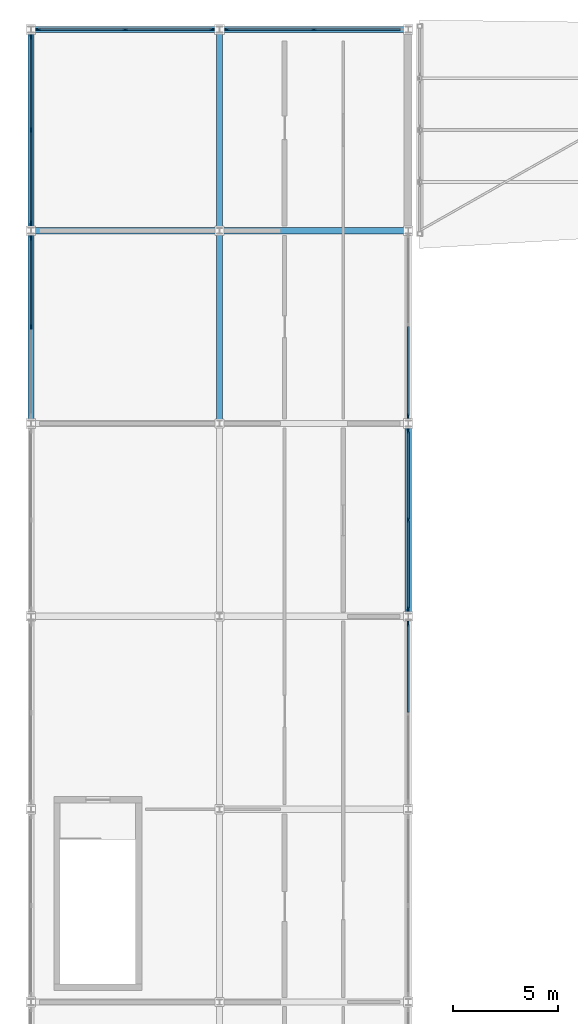
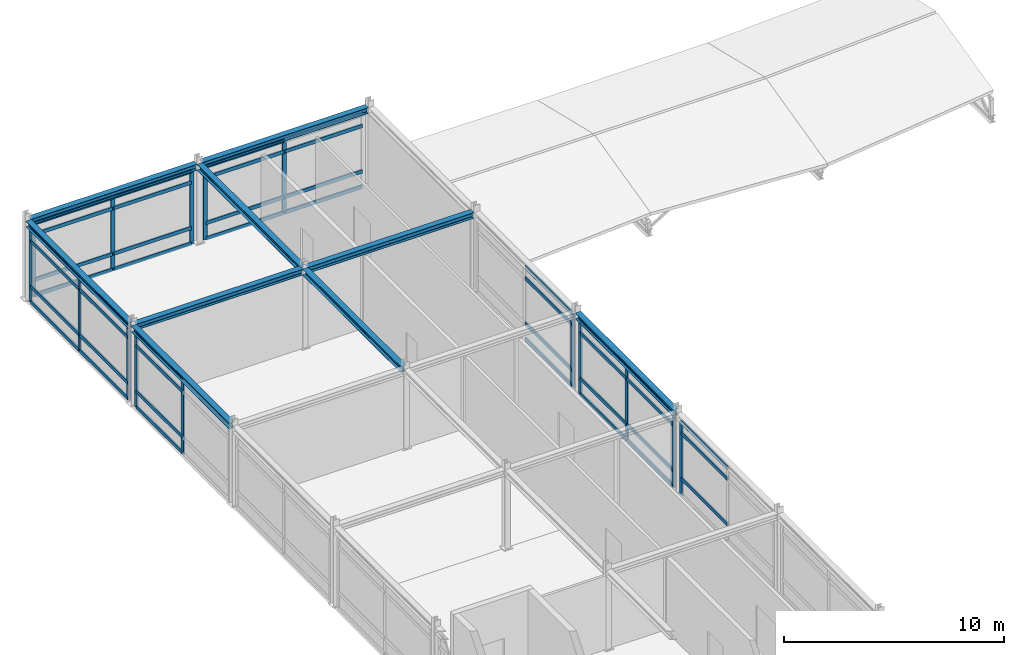
# One storey, part 30 of 90: 57 members, 9 beams, 7 elements without a shape of their own.
"""IFC4 building model written with IfcOpenShell, lengths in metres."""

from ifc_helpers import new_model, si_unit, direction, frame, origin, origin_2d, place, context, subcontext, project, spatial, rectangle, i_section, extrude, material, material_profile, profile_set, type_object, element, aggregate, save


model = new_model("IFC4")

# Units and contexts
model_context = context("Model", 3, precision=1e-05, world=origin(), true_north=direction((0.0, 1.0)))
body_context = subcontext(model_context, "Body", "Model", "MODEL_VIEW")
ifc_project = project(units=[si_unit("LENGTHUNIT", "METRE"), si_unit("AREAUNIT", "SQUARE_METRE"), si_unit("VOLUMEUNIT", "CUBIC_METRE"), si_unit("PLANEANGLEUNIT", "RADIAN"), si_unit("MASSUNIT", "GRAM", prefix="KILO")], contexts=[model_context])

# Site, building, storey
site_placement = place(None, origin())
site = spatial("IfcSite", under=ifc_project, at=site_placement, CompositionType="ELEMENT")
building_placement = place(site_placement, origin())
building = spatial("IfcBuilding", under=site, at=building_placement, Name="Bozkorgan Art Gallery", CompositionType="ELEMENT")
storey_placement = place(building_placement, frame((0.0, 0.0, 5.39990234375)))
storey = spatial("IfcBuildingStorey", under=building, at=storey_placement, Name="L01", CompositionType="ELEMENT", Elevation=5.39990234375)

# Beams
ifc_material_1 = material(Name="Steel S355J2", Category="steel")
ifc_material_profile_1 = material_profile(ifc_material_1, i_section(OverallWidth=0.300048828125, OverallDepth=0.330078125, WebThickness=0.009521484375, FlangeThickness=0.0166015625, FilletRadius=0.027099609375, at=origin_2d()), Name="HEA 340")
ifc_profile_set_1 = profile_set([ifc_material_profile_1], Name="Steel S355J2")
beam_type = type_object("IfcBeamType", Name="BEAM-BM-37", PredefinedType="BEAM", material=ifc_profile_set_1)
for number, where, z_axis, x_axis, name in (
    (1, (2.14990234375, 102.800048828125, 4.275146484375), (1.0, 0.0, 0.0), (0.0, 1.0, 0.0), "V2 L01 beam X (2-11, 102.8)"),
    (2, (11.139892578125, 102.800048828125, 4.275146484375), (1.0, 0.0, 0.0), (0.0, 1.0, 0.0), "V2 L01 beam X (11-20, 102.8)"),
):
    element("IfcBeam", number, at=place(storey_placement, frame(where, z_axis=z_axis, x_axis=x_axis)), inside=storey, type_object=beam_type, Name=name, PredefinedType="BEAM", context=body_context, shape_type="SweptSolid", body=[
        extrude(i_section(OverallWidth=0.300048828125, OverallDepth=0.330078125, WebThickness=0.009521484375, FlangeThickness=0.0166015625, FilletRadius=0.027099609375, at=origin_2d()), origin(), (0.0, 0.0, 1.0), 8.710205078125),
    ])
for number, where, z_axis, x_axis, name in (
    (3, (2.14990234375, 112.39990234375, 4.275146484375), (1.0, 0.0, 0.0), (0.0, 1.0, 0.0), "V2 L01 beam X (2-11, 112.4)"),
    (4, (11.14990234375, 112.39990234375, 4.275146484375), (1.0, 0.0, 0.0), (0.0, 1.0, 0.0), "V2 L01 beam X (11-20, 112.4)"),
):
    element("IfcBeam", number, at=place(storey_placement, frame(where, z_axis=z_axis, x_axis=x_axis)), inside=storey, type_object=beam_type, Name=name, PredefinedType="BEAM", context=body_context, shape_type="SweptSolid", body=[
        extrude(i_section(OverallWidth=0.300048828125, OverallDepth=0.330078125, WebThickness=0.009521484375, FlangeThickness=0.0166015625, FilletRadius=0.027099609375, at=origin_2d()), origin(), (0.0, 0.0, 1.0), 8.7001953125),
    ])
beam_1_placement = place(storey_placement, frame((2.0, 93.75, 4.275146484375), z_axis=(0.0, 1.0, 0.0), x_axis=(-1.0, 0.0, 0.0)))
element("IfcBeam", 5, at=beam_1_placement, inside=storey, type_object=beam_type, Name="V2 L01 beam Y (2, 93.6-102.8)", PredefinedType="BEAM", context=body_context, shape_type="SweptSolid", body=[
    extrude(i_section(OverallWidth=0.300048828125, OverallDepth=0.330078125, WebThickness=0.009521484375, FlangeThickness=0.0166015625, FilletRadius=0.027099609375, at=origin_2d()), origin(), (0.0, 0.0, 1.0), 8.89990234375),
])
beam_2_placement = place(storey_placement, frame((2.0, 102.949951171875, 4.275146484375), z_axis=(0.0, 1.0, 0.0), x_axis=(-1.0, 0.0, 0.0)))
element("IfcBeam", 6, at=beam_2_placement, inside=storey, type_object=beam_type, Name="V2 L01 beam Y (2, 102.8-112.4)", PredefinedType="BEAM", context=body_context, shape_type="SweptSolid", body=[
    extrude(i_section(OverallWidth=0.300048828125, OverallDepth=0.330078125, WebThickness=0.009521484375, FlangeThickness=0.0166015625, FilletRadius=0.027099609375, at=origin_2d()), origin(), (0.0, 0.0, 1.0), 9.300048828125),
])
beam_3_placement = place(storey_placement, frame((11.0, 93.739990234375, 4.275146484375), z_axis=(0.0, 1.0, 0.0), x_axis=(-1.0, 0.0, 0.0)))
element("IfcBeam", 7, at=beam_3_placement, inside=storey, type_object=beam_type, Name="V2 L01 beam Y (11, 93.6-102.8)", PredefinedType="BEAM", context=body_context, shape_type="SweptSolid", body=[
    extrude(i_section(OverallWidth=0.300048828125, OverallDepth=0.330078125, WebThickness=0.009521484375, FlangeThickness=0.0166015625, FilletRadius=0.027099609375, at=origin_2d()), origin(), (0.0, 0.0, 1.0), 8.919921875),
])
beam_4_placement = place(storey_placement, frame((11.0, 102.93994140625, 4.275146484375), z_axis=(0.0, 1.0, 0.0), x_axis=(-1.0, 0.0, 0.0)))
element("IfcBeam", 8, at=beam_4_placement, inside=storey, type_object=beam_type, Name="V2 L01 beam Y (11, 102.8-112.4)", PredefinedType="BEAM", context=body_context, shape_type="SweptSolid", body=[
    extrude(i_section(OverallWidth=0.300048828125, OverallDepth=0.330078125, WebThickness=0.009521484375, FlangeThickness=0.0166015625, FilletRadius=0.027099609375, at=origin_2d()), origin(), (0.0, 0.0, 1.0), 9.31005859375),
])
beam_5_placement = place(storey_placement, frame((20.0, 84.550048828125, 4.275146484375), z_axis=(0.0, 1.0, 0.0), x_axis=(-1.0, 0.0, 0.0)))
element("IfcBeam", 9, at=beam_5_placement, inside=storey, type_object=beam_type, Name="V2 L01 beam Y (20, 84.4-93.6)", PredefinedType="BEAM", context=body_context, shape_type="SweptSolid", body=[
    extrude(i_section(OverallWidth=0.300048828125, OverallDepth=0.330078125, WebThickness=0.009521484375, FlangeThickness=0.0166015625, FilletRadius=0.027099609375, at=origin_2d()), origin(), (0.0, 0.0, 1.0), 8.89990234375),
])

# Curtain wall, members
ifc_material_2 = material(Name="Anodised Bronze Aluminium", Category="aluminium")
curtain_wall_type_1 = type_object("IfcCurtainWallType", Name="CW-CW-74", PredefinedType="NOTDEFINED", material=ifc_material_2)
curtain_wall_1_placement = place(storey_placement, origin())
curtain_wall_1 = element("IfcCurtainWall", 10, at=curtain_wall_1_placement, inside=storey, type_object=curtain_wall_type_1, Name="L01 unitised curtain wall CW-V2-L01-1N-02", PredefinedType="NOTDEFINED")
ifc_material_profile_2 = material_profile(ifc_material_2, rectangle(XDim=0.074951171875, YDim=0.219970703125, at=origin_2d()), Name="ALU MULLION 75x220")
ifc_profile_set_2 = profile_set([ifc_material_profile_2], Name="Anodised Bronze Aluminium")
member_type_1 = type_object("IfcMemberType", Name="CWM-02", PredefinedType="MULLION", material=ifc_profile_set_2)
member_1_placement = place(storey_placement, frame((2.3525390625, 112.39990234375, 0.02001953125), z_axis=(0.0, 0.0, 1.0), x_axis=(0.0, 1.0, 0.0)))
member_1 = element("IfcMember", 11, at=member_1_placement, type_object=member_type_1, Name="CW-74 mullion 1", PredefinedType="MULLION", context=body_context, shape_type="SweptSolid", body=[
    extrude(rectangle(XDim=0.074951171875, YDim=0.219970703125, at=origin_2d()), origin(), (0.0, 0.0, 1.0), 4.0751953125),
])
member_2_placement = place(storey_placement, frame((6.5, 112.39990234375, 0.02001953125), z_axis=(0.0, 0.0, 1.0), x_axis=(0.0, 1.0, 0.0)))
member_2 = element("IfcMember", 12, at=member_2_placement, type_object=member_type_1, Name="CW-74 mullion 2", PredefinedType="MULLION", context=body_context, shape_type="SweptSolid", body=[
    extrude(rectangle(XDim=0.074951171875, YDim=0.219970703125, at=origin_2d()), origin(), (0.0, 0.0, 1.0), 4.0751953125),
])
member_3_placement = place(storey_placement, frame((10.6474609375, 112.39990234375, 0.02001953125), z_axis=(0.0, 0.0, 1.0), x_axis=(0.0, 1.0, 0.0)))
member_3 = element("IfcMember", 13, at=member_3_placement, type_object=member_type_1, Name="CW-74 mullion 3", PredefinedType="MULLION", context=body_context, shape_type="SweptSolid", body=[
    extrude(rectangle(XDim=0.074951171875, YDim=0.219970703125, at=origin_2d()), origin(), (0.0, 0.0, 1.0), 4.0751953125),
])

curtain_wall_2_placement = place(storey_placement, origin())
curtain_wall_2 = element("IfcCurtainWall", 14, at=curtain_wall_2_placement, inside=storey, type_object=curtain_wall_type_1, Name="L01 unitised curtain wall CW-V2-L01-1N-04", PredefinedType="NOTDEFINED")
member_4_placement = place(storey_placement, frame((11.3525390625, 112.39990234375, 0.02001953125), z_axis=(0.0, 0.0, 1.0), x_axis=(0.0, 1.0, 0.0)))
member_4 = element("IfcMember", 15, at=member_4_placement, type_object=member_type_1, Name="CW-74 mullion 1", PredefinedType="MULLION", context=body_context, shape_type="SweptSolid", body=[
    extrude(rectangle(XDim=0.074951171875, YDim=0.219970703125, at=origin_2d()), origin(), (0.0, 0.0, 1.0), 4.0751953125),
])
member_5_placement = place(storey_placement, frame((15.5, 112.39990234375, 0.02001953125), z_axis=(0.0, 0.0, 1.0), x_axis=(0.0, 1.0, 0.0)))
member_5 = element("IfcMember", 16, at=member_5_placement, type_object=member_type_1, Name="CW-74 mullion 2", PredefinedType="MULLION", context=body_context, shape_type="SweptSolid", body=[
    extrude(rectangle(XDim=0.074951171875, YDim=0.219970703125, at=origin_2d()), origin(), (0.0, 0.0, 1.0), 4.0751953125),
])

# Curtain wall, member
curtain_wall_type_2 = type_object("IfcCurtainWallType", Name="CW-CW-52", PredefinedType="NOTDEFINED", material=ifc_material_2)
curtain_wall_3_placement = place(storey_placement, origin())
curtain_wall_3 = element("IfcCurtainWall", 17, at=curtain_wall_3_placement, inside=storey, type_object=curtain_wall_type_2, Name="L01 unitised curtain wall CW-V2-L01-1E-10", PredefinedType="NOTDEFINED")
member_6_placement = place(storey_placement, frame((20.0, 84.047607421875, 0.02001953125), z_axis=(0.0, 0.0, 1.0), x_axis=(-1.0, 0.0, 0.0)))
member_6 = element("IfcMember", 18, at=member_6_placement, type_object=member_type_1, Name="CW-52 mullion 3", PredefinedType="MULLION", context=body_context, shape_type="SweptSolid", body=[
    extrude(rectangle(XDim=0.074951171875, YDim=0.219970703125, at=origin_2d()), origin(), (0.0, 0.0, 1.0), 4.0751953125),
])

# Curtain wall, members
curtain_wall_4_placement = place(storey_placement, origin())
curtain_wall_4 = element("IfcCurtainWall", 19, at=curtain_wall_4_placement, inside=storey, type_object=curtain_wall_type_2, Name="L01 unitised curtain wall CW-V2-L01-1E-12", PredefinedType="NOTDEFINED")
member_7_placement = place(storey_placement, frame((20.0, 84.75244140625, 0.02001953125), z_axis=(0.0, 0.0, 1.0), x_axis=(-1.0, 0.0, 0.0)))
member_7 = element("IfcMember", 20, at=member_7_placement, type_object=member_type_1, Name="CW-52 mullion 1", PredefinedType="MULLION", context=body_context, shape_type="SweptSolid", body=[
    extrude(rectangle(XDim=0.074951171875, YDim=0.219970703125, at=origin_2d()), origin(), (0.0, 0.0, 1.0), 4.0751953125),
])
member_8_placement = place(storey_placement, frame((20.0, 89.0, 0.02001953125), z_axis=(0.0, 0.0, 1.0), x_axis=(-1.0, 0.0, 0.0)))
member_8 = element("IfcMember", 21, at=member_8_placement, type_object=member_type_1, Name="CW-52 mullion 2", PredefinedType="MULLION", context=body_context, shape_type="SweptSolid", body=[
    extrude(rectangle(XDim=0.074951171875, YDim=0.219970703125, at=origin_2d()), origin(), (0.0, 0.0, 1.0), 4.0751953125),
])
member_9_placement = place(storey_placement, frame((20.0, 93.24755859375, 0.02001953125), z_axis=(0.0, 0.0, 1.0), x_axis=(-1.0, 0.0, 0.0)))
member_9 = element("IfcMember", 22, at=member_9_placement, type_object=member_type_1, Name="CW-52 mullion 3", PredefinedType="MULLION", context=body_context, shape_type="SweptSolid", body=[
    extrude(rectangle(XDim=0.074951171875, YDim=0.219970703125, at=origin_2d()), origin(), (0.0, 0.0, 1.0), 4.0751953125),
])

curtain_wall_5_placement = place(storey_placement, origin())
curtain_wall_5 = element("IfcCurtainWall", 23, at=curtain_wall_5_placement, inside=storey, type_object=curtain_wall_type_2, Name="L01 unitised curtain wall CW-V2-L01-1W-13", PredefinedType="NOTDEFINED")
member_10_placement = place(storey_placement, frame((2.0, 98.199951171875, 0.02001953125), z_axis=(0.0, 0.0, 1.0), x_axis=(-1.0, 0.0, 0.0)))
member_10 = element("IfcMember", 24, at=member_10_placement, type_object=member_type_1, Name="CW-52 mullion 2", PredefinedType="MULLION", context=body_context, shape_type="SweptSolid", body=[
    extrude(rectangle(XDim=0.074951171875, YDim=0.219970703125, at=origin_2d()), origin(), (0.0, 0.0, 1.0), 4.0751953125),
])
member_11_placement = place(storey_placement, frame((2.0, 102.447509765625, 0.02001953125), z_axis=(0.0, 0.0, 1.0), x_axis=(-1.0, 0.0, 0.0)))
member_11 = element("IfcMember", 25, at=member_11_placement, type_object=member_type_1, Name="CW-52 mullion 3", PredefinedType="MULLION", context=body_context, shape_type="SweptSolid", body=[
    extrude(rectangle(XDim=0.074951171875, YDim=0.219970703125, at=origin_2d()), origin(), (0.0, 0.0, 1.0), 4.0751953125),
])

# Curtain wall, member
curtain_wall_type_3 = type_object("IfcCurtainWallType", Name="CW-CW-36", PredefinedType="NOTDEFINED", material=ifc_material_2)
curtain_wall_6_placement = place(storey_placement, origin())
curtain_wall_6 = element("IfcCurtainWall", 26, at=curtain_wall_6_placement, inside=storey, type_object=curtain_wall_type_3, Name="L01 unitised curtain wall CW-V2-L01-1E-14", PredefinedType="NOTDEFINED")
member_12_placement = place(storey_placement, frame((20.0, 93.952392578125, 0.02001953125), z_axis=(0.0, 0.0, 1.0), x_axis=(-1.0, 0.0, 0.0)))
member_12 = element("IfcMember", 27, at=member_12_placement, type_object=member_type_1, Name="CW-36 mullion 1", PredefinedType="MULLION", context=body_context, shape_type="SweptSolid", body=[
    extrude(rectangle(XDim=0.074951171875, YDim=0.219970703125, at=origin_2d()), origin(), (0.0, 0.0, 1.0), 4.0751953125),
])

# Curtain wall, members
curtain_wall_type_4 = type_object("IfcCurtainWallType", Name="CW-CW-76", PredefinedType="NOTDEFINED", material=ifc_material_2)
curtain_wall_7_placement = place(storey_placement, origin())
curtain_wall_7 = element("IfcCurtainWall", 28, at=curtain_wall_7_placement, inside=storey, type_object=curtain_wall_type_4, Name="L01 unitised curtain wall CW-V2-L01-1W-15", PredefinedType="NOTDEFINED")
member_13_placement = place(storey_placement, frame((2.0, 103.152587890625, 0.02001953125), z_axis=(0.0, 0.0, 1.0), x_axis=(-1.0, 0.0, 0.0)))
member_13 = element("IfcMember", 29, at=member_13_placement, type_object=member_type_1, Name="CW-76 mullion 1", PredefinedType="MULLION", context=body_context, shape_type="SweptSolid", body=[
    extrude(rectangle(XDim=0.074951171875, YDim=0.219970703125, at=origin_2d()), origin(), (0.0, 0.0, 1.0), 4.0751953125),
])
member_14_placement = place(storey_placement, frame((2.0, 107.60009765625, 0.02001953125), z_axis=(0.0, 0.0, 1.0), x_axis=(-1.0, 0.0, 0.0)))
member_14 = element("IfcMember", 30, at=member_14_placement, type_object=member_type_1, Name="CW-76 mullion 2", PredefinedType="MULLION", context=body_context, shape_type="SweptSolid", body=[
    extrude(rectangle(XDim=0.074951171875, YDim=0.219970703125, at=origin_2d()), origin(), (0.0, 0.0, 1.0), 4.0751953125),
])
member_15_placement = place(storey_placement, frame((2.0, 112.047607421875, 0.02001953125), z_axis=(0.0, 0.0, 1.0), x_axis=(-1.0, 0.0, 0.0)))
member_15 = element("IfcMember", 31, at=member_15_placement, type_object=member_type_1, Name="CW-76 mullion 3", PredefinedType="MULLION", context=body_context, shape_type="SweptSolid", body=[
    extrude(rectangle(XDim=0.074951171875, YDim=0.219970703125, at=origin_2d()), origin(), (0.0, 0.0, 1.0), 4.0751953125),
])

# Member
ifc_material_profile_3 = material_profile(ifc_material_2, rectangle(XDim=0.080078125, YDim=0.199951171875, at=origin_2d()), Name="ALU TRANSOM 80x200")
ifc_profile_set_3 = profile_set([ifc_material_profile_3], Name="Anodised Bronze Aluminium")
member_type_2 = type_object("IfcMemberType", Name="CWT-03", PredefinedType="USERDEFINED", material=ifc_profile_set_3)
member_16_placement = place(storey_placement, frame((2.389892578125, 112.39990234375, 0.06005859375), z_axis=(1.0, 0.0, 0.0), x_axis=(0.0, 1.0, 0.0)))
member_16 = element("IfcMember", 32, at=member_16_placement, type_object=member_type_2, Name="CW-74 transom 1.1", ObjectType="TRANSOM", PredefinedType="USERDEFINED", context=body_context, shape_type="SweptSolid", body=[
    extrude(rectangle(XDim=0.080078125, YDim=0.199951171875, at=origin_2d()), origin(), (0.0, 0.0, 1.0), 4.072509765625),
])

member_17_placement = place(storey_placement, frame((2.389892578125, 112.39990234375, 0.920166015625), z_axis=(1.0, 0.0, 0.0), x_axis=(0.0, 1.0, 0.0)))
member_17 = element("IfcMember", 33, at=member_17_placement, type_object=member_type_2, Name="CW-74 transom 1.2", ObjectType="TRANSOM", PredefinedType="USERDEFINED", context=body_context, shape_type="SweptSolid", body=[
    extrude(rectangle(XDim=0.080078125, YDim=0.199951171875, at=origin_2d()), origin(), (0.0, 0.0, 1.0), 4.072509765625),
])

member_18_placement = place(storey_placement, frame((2.389892578125, 112.39990234375, 3.445068359375), z_axis=(1.0, 0.0, 0.0), x_axis=(0.0, 1.0, 0.0)))
member_18 = element("IfcMember", 34, at=member_18_placement, type_object=member_type_2, Name="CW-74 transom 1.3", ObjectType="TRANSOM", PredefinedType="USERDEFINED", context=body_context, shape_type="SweptSolid", body=[
    extrude(rectangle(XDim=0.080078125, YDim=0.199951171875, at=origin_2d()), origin(), (0.0, 0.0, 1.0), 4.072509765625),
])

member_19_placement = place(storey_placement, frame((2.389892578125, 112.39990234375, 4.05517578125), z_axis=(1.0, 0.0, 0.0), x_axis=(0.0, 1.0, 0.0)))
member_19 = element("IfcMember", 35, at=member_19_placement, type_object=member_type_2, Name="CW-74 transom 1.4", ObjectType="TRANSOM", PredefinedType="USERDEFINED", context=body_context, shape_type="SweptSolid", body=[
    extrude(rectangle(XDim=0.080078125, YDim=0.199951171875, at=origin_2d()), origin(), (0.0, 0.0, 1.0), 4.072509765625),
])

member_20_placement = place(storey_placement, frame((6.53759765625, 112.39990234375, 0.06005859375), z_axis=(1.0, 0.0, 0.0), x_axis=(0.0, 1.0, 0.0)))
member_20 = element("IfcMember", 36, at=member_20_placement, type_object=member_type_2, Name="CW-74 transom 2.1", ObjectType="TRANSOM", PredefinedType="USERDEFINED", context=body_context, shape_type="SweptSolid", body=[
    extrude(rectangle(XDim=0.080078125, YDim=0.199951171875, at=origin_2d()), origin(), (0.0, 0.0, 1.0), 4.072509765625),
])

member_21_placement = place(storey_placement, frame((6.53759765625, 112.39990234375, 0.920166015625), z_axis=(1.0, 0.0, 0.0), x_axis=(0.0, 1.0, 0.0)))
member_21 = element("IfcMember", 37, at=member_21_placement, type_object=member_type_2, Name="CW-74 transom 2.2", ObjectType="TRANSOM", PredefinedType="USERDEFINED", context=body_context, shape_type="SweptSolid", body=[
    extrude(rectangle(XDim=0.080078125, YDim=0.199951171875, at=origin_2d()), origin(), (0.0, 0.0, 1.0), 4.072509765625),
])

member_22_placement = place(storey_placement, frame((6.53759765625, 112.39990234375, 3.445068359375), z_axis=(1.0, 0.0, 0.0), x_axis=(0.0, 1.0, 0.0)))
member_22 = element("IfcMember", 38, at=member_22_placement, type_object=member_type_2, Name="CW-74 transom 2.3", ObjectType="TRANSOM", PredefinedType="USERDEFINED", context=body_context, shape_type="SweptSolid", body=[
    extrude(rectangle(XDim=0.080078125, YDim=0.199951171875, at=origin_2d()), origin(), (0.0, 0.0, 1.0), 4.072509765625),
])

member_23_placement = place(storey_placement, frame((6.53759765625, 112.39990234375, 4.05517578125), z_axis=(1.0, 0.0, 0.0), x_axis=(0.0, 1.0, 0.0)))
member_23 = element("IfcMember", 39, at=member_23_placement, type_object=member_type_2, Name="CW-74 transom 2.4", ObjectType="TRANSOM", PredefinedType="USERDEFINED", context=body_context, shape_type="SweptSolid", body=[
    extrude(rectangle(XDim=0.080078125, YDim=0.199951171875, at=origin_2d()), origin(), (0.0, 0.0, 1.0), 4.072509765625),
])

aggregate(curtain_wall_1, [member_1, member_2, member_3, member_16, member_17, member_18, member_19, member_20, member_21, member_22, member_23])

member_24_placement = place(storey_placement, frame((11.389892578125, 112.39990234375, 0.06005859375), z_axis=(1.0, 0.0, 0.0), x_axis=(0.0, 1.0, 0.0)))
member_24 = element("IfcMember", 40, at=member_24_placement, type_object=member_type_2, Name="CW-74 transom 1.1", ObjectType="TRANSOM", PredefinedType="USERDEFINED", context=body_context, shape_type="SweptSolid", body=[
    extrude(rectangle(XDim=0.080078125, YDim=0.199951171875, at=origin_2d()), origin(), (0.0, 0.0, 1.0), 4.072509765625),
])

member_25_placement = place(storey_placement, frame((11.389892578125, 112.39990234375, 0.920166015625), z_axis=(1.0, 0.0, 0.0), x_axis=(0.0, 1.0, 0.0)))
member_25 = element("IfcMember", 41, at=member_25_placement, type_object=member_type_2, Name="CW-74 transom 1.2", ObjectType="TRANSOM", PredefinedType="USERDEFINED", context=body_context, shape_type="SweptSolid", body=[
    extrude(rectangle(XDim=0.080078125, YDim=0.199951171875, at=origin_2d()), origin(), (0.0, 0.0, 1.0), 4.072509765625),
])

member_26_placement = place(storey_placement, frame((11.389892578125, 112.39990234375, 3.445068359375), z_axis=(1.0, 0.0, 0.0), x_axis=(0.0, 1.0, 0.0)))
member_26 = element("IfcMember", 42, at=member_26_placement, type_object=member_type_2, Name="CW-74 transom 1.3", ObjectType="TRANSOM", PredefinedType="USERDEFINED", context=body_context, shape_type="SweptSolid", body=[
    extrude(rectangle(XDim=0.080078125, YDim=0.199951171875, at=origin_2d()), origin(), (0.0, 0.0, 1.0), 4.072509765625),
])

member_27_placement = place(storey_placement, frame((11.389892578125, 112.39990234375, 4.05517578125), z_axis=(1.0, 0.0, 0.0), x_axis=(0.0, 1.0, 0.0)))
member_27 = element("IfcMember", 43, at=member_27_placement, type_object=member_type_2, Name="CW-74 transom 1.4", ObjectType="TRANSOM", PredefinedType="USERDEFINED", context=body_context, shape_type="SweptSolid", body=[
    extrude(rectangle(XDim=0.080078125, YDim=0.199951171875, at=origin_2d()), origin(), (0.0, 0.0, 1.0), 4.072509765625),
])

member_28_placement = place(storey_placement, frame((15.53759765625, 112.39990234375, 0.06005859375), z_axis=(1.0, 0.0, 0.0), x_axis=(0.0, 1.0, 0.0)))
member_28 = element("IfcMember", 44, at=member_28_placement, type_object=member_type_2, Name="CW-74 transom 2.1", ObjectType="TRANSOM", PredefinedType="USERDEFINED", context=body_context, shape_type="SweptSolid", body=[
    extrude(rectangle(XDim=0.080078125, YDim=0.199951171875, at=origin_2d()), origin(), (0.0, 0.0, 1.0), 4.072509765625),
])

member_29_placement = place(storey_placement, frame((15.53759765625, 112.39990234375, 0.920166015625), z_axis=(1.0, 0.0, 0.0), x_axis=(0.0, 1.0, 0.0)))
member_29 = element("IfcMember", 45, at=member_29_placement, type_object=member_type_2, Name="CW-74 transom 2.2", ObjectType="TRANSOM", PredefinedType="USERDEFINED", context=body_context, shape_type="SweptSolid", body=[
    extrude(rectangle(XDim=0.080078125, YDim=0.199951171875, at=origin_2d()), origin(), (0.0, 0.0, 1.0), 4.072509765625),
])

member_30_placement = place(storey_placement, frame((15.53759765625, 112.39990234375, 3.445068359375), z_axis=(1.0, 0.0, 0.0), x_axis=(0.0, 1.0, 0.0)))
member_30 = element("IfcMember", 46, at=member_30_placement, type_object=member_type_2, Name="CW-74 transom 2.3", ObjectType="TRANSOM", PredefinedType="USERDEFINED", context=body_context, shape_type="SweptSolid", body=[
    extrude(rectangle(XDim=0.080078125, YDim=0.199951171875, at=origin_2d()), origin(), (0.0, 0.0, 1.0), 4.072509765625),
])

aggregate(curtain_wall_2, [member_4, member_5, member_24, member_25, member_26, member_27, member_28, member_29, member_30])

member_31_placement = place(storey_placement, frame((20.0, 79.83740234375, 0.920166015625), z_axis=(0.0, 1.0, 0.0), x_axis=(-1.0, 0.0, 0.0)))
member_31 = element("IfcMember", 47, at=member_31_placement, type_object=member_type_2, Name="CW-52 transom 2.2", ObjectType="TRANSOM", PredefinedType="USERDEFINED", context=body_context, shape_type="SweptSolid", body=[
    extrude(rectangle(XDim=0.080078125, YDim=0.199951171875, at=origin_2d()), origin(), (0.0, 0.0, 1.0), 4.172607421875),
])

member_32_placement = place(storey_placement, frame((20.0, 79.83740234375, 3.445068359375), z_axis=(0.0, 1.0, 0.0), x_axis=(-1.0, 0.0, 0.0)))
member_32 = element("IfcMember", 48, at=member_32_placement, type_object=member_type_2, Name="CW-52 transom 2.3", ObjectType="TRANSOM", PredefinedType="USERDEFINED", context=body_context, shape_type="SweptSolid", body=[
    extrude(rectangle(XDim=0.080078125, YDim=0.199951171875, at=origin_2d()), origin(), (0.0, 0.0, 1.0), 4.172607421875),
])

member_33_placement = place(storey_placement, frame((20.0, 79.83740234375, 4.05517578125), z_axis=(0.0, 1.0, 0.0), x_axis=(-1.0, 0.0, 0.0)))
member_33 = element("IfcMember", 49, at=member_33_placement, type_object=member_type_2, Name="CW-52 transom 2.4", ObjectType="TRANSOM", PredefinedType="USERDEFINED", context=body_context, shape_type="SweptSolid", body=[
    extrude(rectangle(XDim=0.080078125, YDim=0.199951171875, at=origin_2d()), origin(), (0.0, 0.0, 1.0), 4.172607421875),
])

aggregate(curtain_wall_3, [member_6, member_31, member_32, member_33])

member_34_placement = place(storey_placement, frame((20.0, 84.7900390625, 0.06005859375), z_axis=(0.0, 1.0, 0.0), x_axis=(-1.0, 0.0, 0.0)))
member_34 = element("IfcMember", 50, at=member_34_placement, type_object=member_type_2, Name="CW-52 transom 1.1", ObjectType="TRANSOM", PredefinedType="USERDEFINED", context=body_context, shape_type="SweptSolid", body=[
    extrude(rectangle(XDim=0.080078125, YDim=0.199951171875, at=origin_2d()), origin(), (0.0, 0.0, 1.0), 4.17236328125),
])

member_35_placement = place(storey_placement, frame((20.0, 84.7900390625, 0.920166015625), z_axis=(0.0, 1.0, 0.0), x_axis=(-1.0, 0.0, 0.0)))
member_35 = element("IfcMember", 51, at=member_35_placement, type_object=member_type_2, Name="CW-52 transom 1.2", ObjectType="TRANSOM", PredefinedType="USERDEFINED", context=body_context, shape_type="SweptSolid", body=[
    extrude(rectangle(XDim=0.080078125, YDim=0.199951171875, at=origin_2d()), origin(), (0.0, 0.0, 1.0), 4.17236328125),
])

member_36_placement = place(storey_placement, frame((20.0, 84.7900390625, 3.445068359375), z_axis=(0.0, 1.0, 0.0), x_axis=(-1.0, 0.0, 0.0)))
member_36 = element("IfcMember", 52, at=member_36_placement, type_object=member_type_2, Name="CW-52 transom 1.3", ObjectType="TRANSOM", PredefinedType="USERDEFINED", context=body_context, shape_type="SweptSolid", body=[
    extrude(rectangle(XDim=0.080078125, YDim=0.199951171875, at=origin_2d()), origin(), (0.0, 0.0, 1.0), 4.17236328125),
])

member_37_placement = place(storey_placement, frame((20.0, 84.7900390625, 4.05517578125), z_axis=(0.0, 1.0, 0.0), x_axis=(-1.0, 0.0, 0.0)))
member_37 = element("IfcMember", 53, at=member_37_placement, type_object=member_type_2, Name="CW-52 transom 1.4", ObjectType="TRANSOM", PredefinedType="USERDEFINED", context=body_context, shape_type="SweptSolid", body=[
    extrude(rectangle(XDim=0.080078125, YDim=0.199951171875, at=origin_2d()), origin(), (0.0, 0.0, 1.0), 4.17236328125),
])

member_38_placement = place(storey_placement, frame((20.0, 89.03759765625, 0.06005859375), z_axis=(0.0, 1.0, 0.0), x_axis=(-1.0, 0.0, 0.0)))
member_38 = element("IfcMember", 54, at=member_38_placement, type_object=member_type_2, Name="CW-52 transom 2.1", ObjectType="TRANSOM", PredefinedType="USERDEFINED", context=body_context, shape_type="SweptSolid", body=[
    extrude(rectangle(XDim=0.080078125, YDim=0.199951171875, at=origin_2d()), origin(), (0.0, 0.0, 1.0), 4.17236328125),
])

member_39_placement = place(storey_placement, frame((20.0, 89.03759765625, 0.920166015625), z_axis=(0.0, 1.0, 0.0), x_axis=(-1.0, 0.0, 0.0)))
member_39 = element("IfcMember", 55, at=member_39_placement, type_object=member_type_2, Name="CW-52 transom 2.2", ObjectType="TRANSOM", PredefinedType="USERDEFINED", context=body_context, shape_type="SweptSolid", body=[
    extrude(rectangle(XDim=0.080078125, YDim=0.199951171875, at=origin_2d()), origin(), (0.0, 0.0, 1.0), 4.17236328125),
])

member_40_placement = place(storey_placement, frame((20.0, 89.03759765625, 3.445068359375), z_axis=(0.0, 1.0, 0.0), x_axis=(-1.0, 0.0, 0.0)))
member_40 = element("IfcMember", 56, at=member_40_placement, type_object=member_type_2, Name="CW-52 transom 2.3", ObjectType="TRANSOM", PredefinedType="USERDEFINED", context=body_context, shape_type="SweptSolid", body=[
    extrude(rectangle(XDim=0.080078125, YDim=0.199951171875, at=origin_2d()), origin(), (0.0, 0.0, 1.0), 4.17236328125),
])

member_41_placement = place(storey_placement, frame((20.0, 89.03759765625, 4.05517578125), z_axis=(0.0, 1.0, 0.0), x_axis=(-1.0, 0.0, 0.0)))
member_41 = element("IfcMember", 57, at=member_41_placement, type_object=member_type_2, Name="CW-52 transom 2.4", ObjectType="TRANSOM", PredefinedType="USERDEFINED", context=body_context, shape_type="SweptSolid", body=[
    extrude(rectangle(XDim=0.080078125, YDim=0.199951171875, at=origin_2d()), origin(), (0.0, 0.0, 1.0), 4.17236328125),
])

aggregate(curtain_wall_4, [member_7, member_8, member_9, member_34, member_35, member_36, member_37, member_38, member_39, member_40, member_41])

member_42_placement = place(storey_placement, frame((2.0, 98.237548828125, 0.06005859375), z_axis=(0.0, 1.0, 0.0), x_axis=(-1.0, 0.0, 0.0)))
member_42 = element("IfcMember", 58, at=member_42_placement, type_object=member_type_2, Name="CW-52 transom 2.1", ObjectType="TRANSOM", PredefinedType="USERDEFINED", context=body_context, shape_type="SweptSolid", body=[
    extrude(rectangle(XDim=0.080078125, YDim=0.199951171875, at=origin_2d()), origin(), (0.0, 0.0, 1.0), 4.17236328125),
])

member_43_placement = place(storey_placement, frame((2.0, 98.237548828125, 0.920166015625), z_axis=(0.0, 1.0, 0.0), x_axis=(-1.0, 0.0, 0.0)))
member_43 = element("IfcMember", 59, at=member_43_placement, type_object=member_type_2, Name="CW-52 transom 2.2", ObjectType="TRANSOM", PredefinedType="USERDEFINED", context=body_context, shape_type="SweptSolid", body=[
    extrude(rectangle(XDim=0.080078125, YDim=0.199951171875, at=origin_2d()), origin(), (0.0, 0.0, 1.0), 4.17236328125),
])

member_44_placement = place(storey_placement, frame((2.0, 98.237548828125, 3.445068359375), z_axis=(0.0, 1.0, 0.0), x_axis=(-1.0, 0.0, 0.0)))
member_44 = element("IfcMember", 60, at=member_44_placement, type_object=member_type_2, Name="CW-52 transom 2.3", ObjectType="TRANSOM", PredefinedType="USERDEFINED", context=body_context, shape_type="SweptSolid", body=[
    extrude(rectangle(XDim=0.080078125, YDim=0.199951171875, at=origin_2d()), origin(), (0.0, 0.0, 1.0), 4.17236328125),
])

member_45_placement = place(storey_placement, frame((2.0, 98.237548828125, 4.05517578125), z_axis=(0.0, 1.0, 0.0), x_axis=(-1.0, 0.0, 0.0)))
member_45 = element("IfcMember", 61, at=member_45_placement, type_object=member_type_2, Name="CW-52 transom 2.4", ObjectType="TRANSOM", PredefinedType="USERDEFINED", context=body_context, shape_type="SweptSolid", body=[
    extrude(rectangle(XDim=0.080078125, YDim=0.199951171875, at=origin_2d()), origin(), (0.0, 0.0, 1.0), 4.17236328125),
])

aggregate(curtain_wall_5, [member_10, member_11, member_42, member_43, member_44, member_45])

member_46_placement = place(storey_placement, frame((20.0, 93.989990234375, 0.06005859375), z_axis=(0.0, 1.0, 0.0), x_axis=(-1.0, 0.0, 0.0)))
member_46 = element("IfcMember", 62, at=member_46_placement, type_object=member_type_2, Name="CW-36 transom 1.1", ObjectType="TRANSOM", PredefinedType="USERDEFINED", context=body_context, shape_type="SweptSolid", body=[
    extrude(rectangle(XDim=0.080078125, YDim=0.199951171875, at=origin_2d()), origin(), (0.0, 0.0, 1.0), 4.237548828125),
])

member_47_placement = place(storey_placement, frame((20.0, 93.989990234375, 0.920166015625), z_axis=(0.0, 1.0, 0.0), x_axis=(-1.0, 0.0, 0.0)))
member_47 = element("IfcMember", 63, at=member_47_placement, type_object=member_type_2, Name="CW-36 transom 1.2", ObjectType="TRANSOM", PredefinedType="USERDEFINED", context=body_context, shape_type="SweptSolid", body=[
    extrude(rectangle(XDim=0.080078125, YDim=0.199951171875, at=origin_2d()), origin(), (0.0, 0.0, 1.0), 4.237548828125),
])

member_48_placement = place(storey_placement, frame((20.0, 93.989990234375, 3.445068359375), z_axis=(0.0, 1.0, 0.0), x_axis=(-1.0, 0.0, 0.0)))
member_48 = element("IfcMember", 64, at=member_48_placement, type_object=member_type_2, Name="CW-36 transom 1.3", ObjectType="TRANSOM", PredefinedType="USERDEFINED", context=body_context, shape_type="SweptSolid", body=[
    extrude(rectangle(XDim=0.080078125, YDim=0.199951171875, at=origin_2d()), origin(), (0.0, 0.0, 1.0), 4.237548828125),
])

member_49_placement = place(storey_placement, frame((20.0, 93.989990234375, 4.05517578125), z_axis=(0.0, 1.0, 0.0), x_axis=(-1.0, 0.0, 0.0)))
member_49 = element("IfcMember", 65, at=member_49_placement, type_object=member_type_2, Name="CW-36 transom 1.4", ObjectType="TRANSOM", PredefinedType="USERDEFINED", context=body_context, shape_type="SweptSolid", body=[
    extrude(rectangle(XDim=0.080078125, YDim=0.199951171875, at=origin_2d()), origin(), (0.0, 0.0, 1.0), 4.237548828125),
])

aggregate(curtain_wall_6, [member_12, member_46, member_47, member_48, member_49])

member_50_placement = place(storey_placement, frame((2.0, 103.18994140625, 0.06005859375), z_axis=(0.0, 1.0, 0.0), x_axis=(-1.0, 0.0, 0.0)))
member_50 = element("IfcMember", 66, at=member_50_placement, type_object=member_type_2, Name="CW-76 transom 1.1", ObjectType="TRANSOM", PredefinedType="USERDEFINED", context=body_context, shape_type="SweptSolid", body=[
    extrude(rectangle(XDim=0.080078125, YDim=0.199951171875, at=origin_2d()), origin(), (0.0, 0.0, 1.0), 4.37255859375),
])

member_51_placement = place(storey_placement, frame((2.0, 103.18994140625, 0.920166015625), z_axis=(0.0, 1.0, 0.0), x_axis=(-1.0, 0.0, 0.0)))
member_51 = element("IfcMember", 67, at=member_51_placement, type_object=member_type_2, Name="CW-76 transom 1.2", ObjectType="TRANSOM", PredefinedType="USERDEFINED", context=body_context, shape_type="SweptSolid", body=[
    extrude(rectangle(XDim=0.080078125, YDim=0.199951171875, at=origin_2d()), origin(), (0.0, 0.0, 1.0), 4.37255859375),
])

member_52_placement = place(storey_placement, frame((2.0, 103.18994140625, 3.445068359375), z_axis=(0.0, 1.0, 0.0), x_axis=(-1.0, 0.0, 0.0)))
member_52 = element("IfcMember", 68, at=member_52_placement, type_object=member_type_2, Name="CW-76 transom 1.3", ObjectType="TRANSOM", PredefinedType="USERDEFINED", context=body_context, shape_type="SweptSolid", body=[
    extrude(rectangle(XDim=0.080078125, YDim=0.199951171875, at=origin_2d()), origin(), (0.0, 0.0, 1.0), 4.37255859375),
])

member_53_placement = place(storey_placement, frame((2.0, 103.18994140625, 4.05517578125), z_axis=(0.0, 1.0, 0.0), x_axis=(-1.0, 0.0, 0.0)))
member_53 = element("IfcMember", 69, at=member_53_placement, type_object=member_type_2, Name="CW-76 transom 1.4", ObjectType="TRANSOM", PredefinedType="USERDEFINED", context=body_context, shape_type="SweptSolid", body=[
    extrude(rectangle(XDim=0.080078125, YDim=0.199951171875, at=origin_2d()), origin(), (0.0, 0.0, 1.0), 4.37255859375),
])

member_54_placement = place(storey_placement, frame((2.0, 107.637451171875, 0.06005859375), z_axis=(0.0, 1.0, 0.0), x_axis=(-1.0, 0.0, 0.0)))
member_54 = element("IfcMember", 70, at=member_54_placement, type_object=member_type_2, Name="CW-76 transom 2.1", ObjectType="TRANSOM", PredefinedType="USERDEFINED", context=body_context, shape_type="SweptSolid", body=[
    extrude(rectangle(XDim=0.080078125, YDim=0.199951171875, at=origin_2d()), origin(), (0.0, 0.0, 1.0), 4.37255859375),
])

member_55_placement = place(storey_placement, frame((2.0, 107.637451171875, 0.920166015625), z_axis=(0.0, 1.0, 0.0), x_axis=(-1.0, 0.0, 0.0)))
member_55 = element("IfcMember", 71, at=member_55_placement, type_object=member_type_2, Name="CW-76 transom 2.2", ObjectType="TRANSOM", PredefinedType="USERDEFINED", context=body_context, shape_type="SweptSolid", body=[
    extrude(rectangle(XDim=0.080078125, YDim=0.199951171875, at=origin_2d()), origin(), (0.0, 0.0, 1.0), 4.37255859375),
])

member_56_placement = place(storey_placement, frame((2.0, 107.637451171875, 3.445068359375), z_axis=(0.0, 1.0, 0.0), x_axis=(-1.0, 0.0, 0.0)))
member_56 = element("IfcMember", 72, at=member_56_placement, type_object=member_type_2, Name="CW-76 transom 2.3", ObjectType="TRANSOM", PredefinedType="USERDEFINED", context=body_context, shape_type="SweptSolid", body=[
    extrude(rectangle(XDim=0.080078125, YDim=0.199951171875, at=origin_2d()), origin(), (0.0, 0.0, 1.0), 4.37255859375),
])

member_57_placement = place(storey_placement, frame((2.0, 107.637451171875, 4.05517578125), z_axis=(0.0, 1.0, 0.0), x_axis=(-1.0, 0.0, 0.0)))
member_57 = element("IfcMember", 73, at=member_57_placement, type_object=member_type_2, Name="CW-76 transom 2.4", ObjectType="TRANSOM", PredefinedType="USERDEFINED", context=body_context, shape_type="SweptSolid", body=[
    extrude(rectangle(XDim=0.080078125, YDim=0.199951171875, at=origin_2d()), origin(), (0.0, 0.0, 1.0), 4.37255859375),
])

aggregate(curtain_wall_7, [member_13, member_14, member_15, member_50, member_51, member_52, member_53, member_54, member_55, member_56, member_57])

save(model, "model.ifc")
